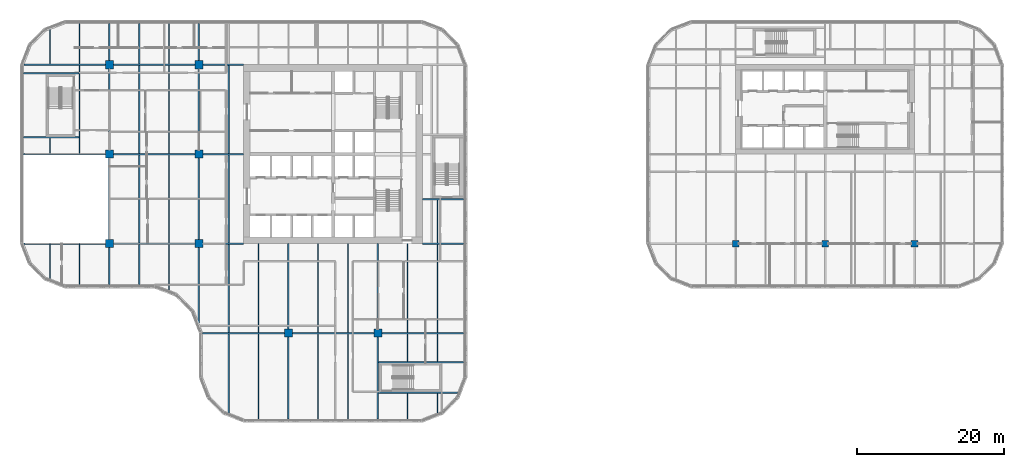
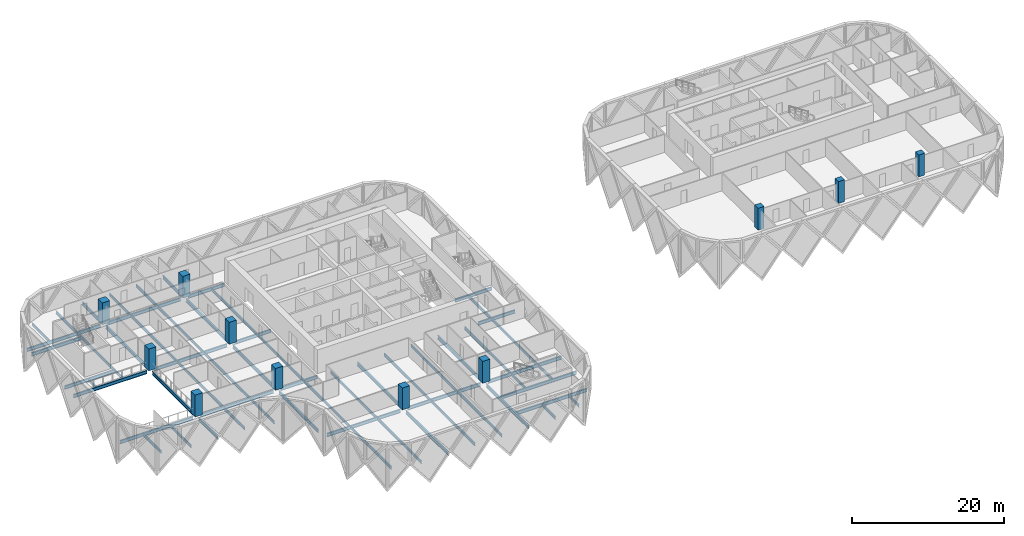
# One storey, part 1 of 24: 61 beams, 11 columns.
"""IFC4 building model written with IfcOpenShell, lengths in metres."""

from ifc_helpers import new_model, si_unit, direction, frame, origin, origin_2d, place, context, subcontext, project, spatial, rectangle, i_section, extrude, material, material_profile, profile_set, type_object, element, save


model = new_model("IFC4")

# Units and contexts
model_context = context("Model", 3, precision=1e-05, world=origin(), true_north=direction((0.0, 1.0)))
body_context = subcontext(model_context, "Body", "Model", "MODEL_VIEW")
ifc_project = project(units=[si_unit("LENGTHUNIT", "METRE"), si_unit("AREAUNIT", "SQUARE_METRE"), si_unit("VOLUMEUNIT", "CUBIC_METRE"), si_unit("PLANEANGLEUNIT", "RADIAN"), si_unit("MASSUNIT", "GRAM", prefix="KILO")], contexts=[model_context])

# Site, building, storey
site_placement = place(None, origin())
site = spatial("IfcSite", under=ifc_project, at=site_placement, CompositionType="ELEMENT")
building_placement = place(site_placement, origin())
building = spatial("IfcBuilding", under=site, at=building_placement, Name="Tessera Gate Towers", CompositionType="ELEMENT")
storey_placement = place(building_placement, frame((0.0, 0.0, 60.0)))
storey = spatial("IfcBuildingStorey", under=building, at=storey_placement, Name="L14", CompositionType="ELEMENT", Elevation=60.0)

# Columns
ifc_material_1 = material(Name="Concrete C70/85", Category="concrete")
ifc_material_profile_1 = material_profile(ifc_material_1, rectangle(XDim=1.10009765625, YDim=1.10009765625, at=origin_2d()), Name="RC 1100x1100")
ifc_profile_set_1 = profile_set([ifc_material_profile_1], Name="Concrete C70/85")
column_type_1 = type_object("IfcColumnType", Name="COLUMN RC 1100x1100", PredefinedType="COLUMN", material=ifc_profile_set_1)
for number, where, z_axis, x_axis, name in (
    (1, (12.199951171875, 24.39990234375, 0.0), (0.0, 0.0, 1.0), (1.0, 0.0, 0.0), "T1-COL-2C-L14"),
    (2, (12.199951171875, 36.60009765625, 0.0), (0.0, 0.0, 1.0), (1.0, 0.0, 0.0), "T1-COL-2D-L14"),
    (3, (12.199951171875, 48.800048828125, 0.0), (0.0, 0.0, 1.0), (1.0, 0.0, 0.0), "T1-COL-2E-L14"),
    (4, (24.39990234375, 24.39990234375, 0.0), (0.0, 0.0, 1.0), (1.0, 0.0, 0.0), "T1-COL-3C-L14"),
    (5, (24.39990234375, 36.60009765625, 0.0), (0.0, 0.0, 1.0), (1.0, 0.0, 0.0), "T1-COL-3D-L14"),
    (6, (24.39990234375, 48.800048828125, 0.0), (0.0, 0.0, 1.0), (1.0, 0.0, 0.0), "T1-COL-3E-L14"),
    (7, (36.60009765625, 12.199951171875, 0.0), (0.0, 0.0, 1.0), (1.0, 0.0, 0.0), "T1-COL-4B-L14"),
    (8, (48.800048828125, 12.199951171875, 0.0), (0.0, 0.0, 1.0), (1.0, 0.0, 0.0), "T1-COL-5B-L14"),
):
    element("IfcColumn", number, at=place(storey_placement, frame(where, z_axis=z_axis, x_axis=x_axis)), inside=storey, type_object=column_type_1, Name=name, PredefinedType="COLUMN", context=body_context, shape_type="SweptSolid", body=[
        extrude(rectangle(XDim=1.10009765625, YDim=1.10009765625, at=origin_2d()), origin(), (0.0, 0.0, 1.0), 3.5),
    ])
ifc_material_2 = material(Name="Concrete C70/85", Category="concrete")
ifc_material_profile_2 = material_profile(ifc_material_2, rectangle(XDim=0.89990234375, YDim=0.89990234375, at=origin_2d()), Name="RC 900x900")
ifc_profile_set_2 = profile_set([ifc_material_profile_2], Name="Concrete C70/85")
column_type_2 = type_object("IfcColumnType", Name="COLUMN RC 900x900", PredefinedType="COLUMN", material=ifc_profile_set_2)
for number, where, z_axis, x_axis, name in (
    (9, (97.60009765625, 24.39990234375, 0.0), (0.0, 0.0, 1.0), (1.0, 0.0, 0.0), "T2-COL-9C-L14"),
    (10, (109.800048828125, 24.39990234375, 0.0), (0.0, 0.0, 1.0), (1.0, 0.0, 0.0), "T2-COL-10C-L14"),
    (11, (122.0, 24.39990234375, 0.0), (0.0, 0.0, 1.0), (1.0, 0.0, 0.0), "T2-COL-11C-L14"),
):
    element("IfcColumn", number, at=place(storey_placement, frame(where, z_axis=z_axis, x_axis=x_axis)), inside=storey, type_object=column_type_2, Name=name, PredefinedType="COLUMN", context=body_context, shape_type="SweptSolid", body=[
        extrude(rectangle(XDim=0.89990234375, YDim=0.89990234375, at=origin_2d()), origin(), (0.0, 0.0, 1.0), 3.5),
    ])

# Beams
ifc_material_3 = material(Name="Steel 350W", Category="steel")
ifc_material_profile_3 = material_profile(ifc_material_3, i_section(OverallWidth=0.208984375, OverallDepth=0.532958984375, WebThickness=0.01025390625, FlangeThickness=0.015625, at=origin_2d()), Name="W530x92")
ifc_profile_set_3 = profile_set([ifc_material_profile_3], Name="Steel 350W")
beam_type_1 = type_object("IfcBeamType", Name="FLOOR GIRDER W530x92", PredefinedType="BEAM", material=ifc_profile_set_3)
beam_1_placement = place(storey_placement, frame((24.89892578125, 12.199951171875, -0.466552734375), z_axis=(1.0, 0.0, 0.0), x_axis=(0.0, 1.0, 0.0)))
element("IfcBeam", 12, at=beam_1_placement, inside=storey, type_object=beam_type_1, Name="T1-GD-L14-1990", PredefinedType="BEAM", context=body_context, shape_type="SweptSolid", body=[
    extrude(i_section(OverallWidth=0.208984375, OverallDepth=0.532958984375, WebThickness=0.01025390625, FlangeThickness=0.015625, at=origin_2d()), origin(), (0.0, 0.0, 1.0), 11.151123046875),
])
beam_2_placement = place(storey_placement, frame((37.14990234375, 12.199951171875, -0.466552734375), z_axis=(1.0, 0.0, 0.0), x_axis=(0.0, 1.0, 0.0)))
element("IfcBeam", 13, at=beam_2_placement, inside=storey, type_object=beam_type_1, Name="T1-GD-L14-1991", PredefinedType="BEAM", context=body_context, shape_type="SweptSolid", body=[
    extrude(i_section(OverallWidth=0.208984375, OverallDepth=0.532958984375, WebThickness=0.01025390625, FlangeThickness=0.015625, at=origin_2d()), origin(), (0.0, 0.0, 1.0), 11.10009765625),
])
beam_3_placement = place(storey_placement, frame((49.35009765625, 12.199951171875, -0.466552734375), z_axis=(1.0, 0.0, 0.0), x_axis=(0.0, 1.0, 0.0)))
element("IfcBeam", 14, at=beam_3_placement, inside=storey, type_object=beam_type_1, Name="T1-GD-L14-1992", PredefinedType="BEAM", context=body_context, shape_type="SweptSolid", body=[
    extrude(i_section(OverallWidth=0.208984375, OverallDepth=0.532958984375, WebThickness=0.01025390625, FlangeThickness=0.015625, at=origin_2d()), origin(), (0.0, 0.0, 1.0), 11.15087890625),
])
beam_4_placement = place(storey_placement, frame((0.534912109375, 24.39990234375, -0.466552734375), z_axis=(1.0, 0.0, 0.0), x_axis=(0.0, 1.0, 0.0)))
element("IfcBeam", 15, at=beam_4_placement, inside=storey, type_object=beam_type_1, Name="T1-GD-L14-1993", PredefinedType="BEAM", context=body_context, shape_type="SweptSolid", body=[
    extrude(i_section(OverallWidth=0.208984375, OverallDepth=0.532958984375, WebThickness=0.01025390625, FlangeThickness=0.015625, at=origin_2d()), origin(), (0.0, 0.0, 1.0), 11.114990234375),
])
beam_5_placement = place(storey_placement, frame((12.75, 24.39990234375, -0.466552734375), z_axis=(1.0, 0.0, 0.0), x_axis=(0.0, 1.0, 0.0)))
element("IfcBeam", 16, at=beam_5_placement, inside=storey, type_object=beam_type_1, Name="T1-GD-L14-1994", PredefinedType="BEAM", context=body_context, shape_type="SweptSolid", body=[
    extrude(i_section(OverallWidth=0.208984375, OverallDepth=0.532958984375, WebThickness=0.01025390625, FlangeThickness=0.015625, at=origin_2d()), origin(), (0.0, 0.0, 1.0), 11.10009765625),
])
beam_6_placement = place(storey_placement, frame((24.949951171875, 24.39990234375, -0.466552734375), z_axis=(1.0, 0.0, 0.0), x_axis=(0.0, 1.0, 0.0)))
element("IfcBeam", 17, at=beam_6_placement, inside=storey, type_object=beam_type_1, Name="T1-GD-L14-1995", PredefinedType="BEAM", context=body_context, shape_type="SweptSolid", body=[
    extrude(i_section(OverallWidth=0.208984375, OverallDepth=0.532958984375, WebThickness=0.01025390625, FlangeThickness=0.015625, at=origin_2d()), origin(), (0.0, 0.0, 1.0), 5.549072265625),
])
beam_7_placement = place(storey_placement, frame((54.90087890625, 24.39990234375, -0.466552734375), z_axis=(1.0, 0.0, 0.0), x_axis=(0.0, 1.0, 0.0)))
element("IfcBeam", 18, at=beam_7_placement, inside=storey, type_object=beam_type_1, Name="T1-GD-L14-1996", PredefinedType="BEAM", context=body_context, shape_type="SweptSolid", body=[
    extrude(i_section(OverallWidth=0.208984375, OverallDepth=0.532958984375, WebThickness=0.01025390625, FlangeThickness=0.015625, at=origin_2d()), origin(), (0.0, 0.0, 1.0), 5.60009765625),
])
beam_8_placement = place(storey_placement, frame((0.4990234375, 36.60009765625, -0.466552734375), z_axis=(1.0, 0.0, 0.0), x_axis=(0.0, 1.0, 0.0)))
element("IfcBeam", 19, at=beam_8_placement, inside=storey, type_object=beam_type_1, Name="T1-GD-L14-1997", PredefinedType="BEAM", context=body_context, shape_type="SweptSolid", body=[
    extrude(i_section(OverallWidth=0.208984375, OverallDepth=0.532958984375, WebThickness=0.01025390625, FlangeThickness=0.015625, at=origin_2d()), origin(), (0.0, 0.0, 1.0), 11.15087890625),
])
beam_9_placement = place(storey_placement, frame((12.75, 36.60009765625, -0.466552734375), z_axis=(1.0, 0.0, 0.0), x_axis=(0.0, 1.0, 0.0)))
element("IfcBeam", 20, at=beam_9_placement, inside=storey, type_object=beam_type_1, Name="T1-GD-L14-1998", PredefinedType="BEAM", context=body_context, shape_type="SweptSolid", body=[
    extrude(i_section(OverallWidth=0.208984375, OverallDepth=0.532958984375, WebThickness=0.01025390625, FlangeThickness=0.015625, at=origin_2d()), origin(), (0.0, 0.0, 1.0), 11.10009765625),
])
beam_10_placement = place(storey_placement, frame((24.949951171875, 36.60009765625, -0.466552734375), z_axis=(1.0, 0.0, 0.0), x_axis=(0.0, 1.0, 0.0)))
element("IfcBeam", 21, at=beam_10_placement, inside=storey, type_object=beam_type_1, Name="T1-GD-L14-1999", PredefinedType="BEAM", context=body_context, shape_type="SweptSolid", body=[
    extrude(i_section(OverallWidth=0.208984375, OverallDepth=0.532958984375, WebThickness=0.01025390625, FlangeThickness=0.015625, at=origin_2d()), origin(), (0.0, 0.0, 1.0), 5.551025390625),
])
beam_11_placement = place(storey_placement, frame((0.534912109375, 48.800048828125, -0.466552734375), z_axis=(1.0, 0.0, 0.0), x_axis=(0.0, 1.0, 0.0)))
element("IfcBeam", 22, at=beam_11_placement, inside=storey, type_object=beam_type_1, Name="T1-GD-L14-2001", PredefinedType="BEAM", context=body_context, shape_type="SweptSolid", body=[
    extrude(i_section(OverallWidth=0.208984375, OverallDepth=0.532958984375, WebThickness=0.01025390625, FlangeThickness=0.015625, at=origin_2d()), origin(), (0.0, 0.0, 1.0), 11.114990234375),
])
beam_12_placement = place(storey_placement, frame((12.75, 48.800048828125, -0.466552734375), z_axis=(1.0, 0.0, 0.0), x_axis=(0.0, 1.0, 0.0)))
element("IfcBeam", 23, at=beam_12_placement, inside=storey, type_object=beam_type_1, Name="T1-GD-L14-2002", PredefinedType="BEAM", context=body_context, shape_type="SweptSolid", body=[
    extrude(i_section(OverallWidth=0.208984375, OverallDepth=0.532958984375, WebThickness=0.01025390625, FlangeThickness=0.015625, at=origin_2d()), origin(), (0.0, 0.0, 1.0), 11.10009765625),
])
beam_13_placement = place(storey_placement, frame((24.949951171875, 48.800048828125, -0.466552734375), z_axis=(1.0, 0.0, 0.0), x_axis=(0.0, 1.0, 0.0)))
element("IfcBeam", 24, at=beam_13_placement, inside=storey, type_object=beam_type_1, Name="T1-GD-L14-2003", PredefinedType="BEAM", context=body_context, shape_type="SweptSolid", body=[
    extrude(i_section(OverallWidth=0.208984375, OverallDepth=0.532958984375, WebThickness=0.01025390625, FlangeThickness=0.015625, at=origin_2d()), origin(), (0.0, 0.0, 1.0), 5.549072265625),
])
beam_14_placement = place(storey_placement, frame((12.199951171875, 18.799072265625, -0.466552734375), z_axis=(0.0, 1.0, 0.0), x_axis=(-1.0, 0.0, 0.0)))
element("IfcBeam", 25, at=beam_14_placement, inside=storey, type_object=beam_type_1, Name="T1-GD-L14-2005", PredefinedType="BEAM", context=body_context, shape_type="SweptSolid", body=[
    extrude(i_section(OverallWidth=0.208984375, OverallDepth=0.532958984375, WebThickness=0.01025390625, FlangeThickness=0.015625, at=origin_2d()), origin(), (0.0, 0.0, 1.0), 5.051025390625),
])
for number, where, z_axis, x_axis, name in (
    (26, (12.199951171875, 24.949951171875, -0.466552734375), (0.0, 1.0, 0.0), (-1.0, 0.0, 0.0), "T1-GD-L14-2006"),
    (27, (12.199951171875, 37.14990234375, -0.466552734375), (0.0, 1.0, 0.0), (-1.0, 0.0, 0.0), "T1-GD-L14-2007"),
):
    element("IfcBeam", number, at=place(storey_placement, frame(where, z_axis=z_axis, x_axis=x_axis)), inside=storey, type_object=beam_type_1, Name=name, PredefinedType="BEAM", context=body_context, shape_type="SweptSolid", body=[
        extrude(i_section(OverallWidth=0.208984375, OverallDepth=0.532958984375, WebThickness=0.01025390625, FlangeThickness=0.015625, at=origin_2d()), origin(), (0.0, 0.0, 1.0), 11.10009765625),
    ])
beam_15_placement = place(storey_placement, frame((12.199951171875, 49.35009765625, -0.466552734375), z_axis=(0.0, 1.0, 0.0), x_axis=(-1.0, 0.0, 0.0)))
element("IfcBeam", 28, at=beam_15_placement, inside=storey, type_object=beam_type_1, Name="T1-GD-L14-2008", PredefinedType="BEAM", context=body_context, shape_type="SweptSolid", body=[
    extrude(i_section(OverallWidth=0.208984375, OverallDepth=0.532958984375, WebThickness=0.01025390625, FlangeThickness=0.015625, at=origin_2d()), origin(), (0.0, 0.0, 1.0), 5.05078125),
])
beam_16_placement = place(storey_placement, frame((24.39990234375, 13.58642578125, -0.466552734375), z_axis=(0.0, 1.0, 0.0), x_axis=(-1.0, 0.0, 0.0)))
element("IfcBeam", 29, at=beam_16_placement, inside=storey, type_object=beam_type_1, Name="T1-GD-L14-2009", PredefinedType="BEAM", context=body_context, shape_type="SweptSolid", body=[
    extrude(i_section(OverallWidth=0.208984375, OverallDepth=0.532958984375, WebThickness=0.01025390625, FlangeThickness=0.015625, at=origin_2d()), origin(), (0.0, 0.0, 1.0), 10.263671875),
])
for number, where, z_axis, x_axis, name in (
    (30, (24.39990234375, 24.949951171875, -0.466552734375), (0.0, 1.0, 0.0), (-1.0, 0.0, 0.0), "T1-GD-L14-2010"),
    (31, (24.39990234375, 37.14990234375, -0.466552734375), (0.0, 1.0, 0.0), (-1.0, 0.0, 0.0), "T1-GD-L14-2011"),
):
    element("IfcBeam", number, at=place(storey_placement, frame(where, z_axis=z_axis, x_axis=x_axis)), inside=storey, type_object=beam_type_1, Name=name, PredefinedType="BEAM", context=body_context, shape_type="SweptSolid", body=[
        extrude(i_section(OverallWidth=0.208984375, OverallDepth=0.532958984375, WebThickness=0.01025390625, FlangeThickness=0.015625, at=origin_2d()), origin(), (0.0, 0.0, 1.0), 11.10009765625),
    ])
beam_17_placement = place(storey_placement, frame((24.39990234375, 49.35009765625, -0.466552734375), z_axis=(0.0, 1.0, 0.0), x_axis=(-1.0, 0.0, 0.0)))
element("IfcBeam", 32, at=beam_17_placement, inside=storey, type_object=beam_type_1, Name="T1-GD-L14-2012", PredefinedType="BEAM", context=body_context, shape_type="SweptSolid", body=[
    extrude(i_section(OverallWidth=0.208984375, OverallDepth=0.532958984375, WebThickness=0.01025390625, FlangeThickness=0.015625, at=origin_2d()), origin(), (0.0, 0.0, 1.0), 5.05078125),
])
beam_18_placement = place(storey_placement, frame((36.60009765625, 0.4990234375, -0.466552734375), z_axis=(0.0, 1.0, 0.0), x_axis=(-1.0, 0.0, 0.0)))
element("IfcBeam", 33, at=beam_18_placement, inside=storey, type_object=beam_type_1, Name="T1-GD-L14-2013", PredefinedType="BEAM", context=body_context, shape_type="SweptSolid", body=[
    extrude(i_section(OverallWidth=0.208984375, OverallDepth=0.532958984375, WebThickness=0.01025390625, FlangeThickness=0.015625, at=origin_2d()), origin(), (0.0, 0.0, 1.0), 11.15087890625),
])
beam_19_placement = place(storey_placement, frame((36.60009765625, 12.75, -0.466552734375), z_axis=(0.0, 1.0, 0.0), x_axis=(-1.0, 0.0, 0.0)))
element("IfcBeam", 34, at=beam_19_placement, inside=storey, type_object=beam_type_1, Name="T1-GD-L14-2014", PredefinedType="BEAM", context=body_context, shape_type="SweptSolid", body=[
    extrude(i_section(OverallWidth=0.208984375, OverallDepth=0.532958984375, WebThickness=0.01025390625, FlangeThickness=0.015625, at=origin_2d()), origin(), (0.0, 0.0, 1.0), 11.64990234375),
])
beam_20_placement = place(storey_placement, frame((48.800048828125, 0.4990234375, -0.466552734375), z_axis=(0.0, 1.0, 0.0), x_axis=(-1.0, 0.0, 0.0)))
element("IfcBeam", 35, at=beam_20_placement, inside=storey, type_object=beam_type_1, Name="T1-GD-L14-2015", PredefinedType="BEAM", context=body_context, shape_type="SweptSolid", body=[
    extrude(i_section(OverallWidth=0.208984375, OverallDepth=0.532958984375, WebThickness=0.01025390625, FlangeThickness=0.015625, at=origin_2d()), origin(), (0.0, 0.0, 1.0), 11.15087890625),
])
beam_21_placement = place(storey_placement, frame((48.800048828125, 12.75, -0.466552734375), z_axis=(0.0, 1.0, 0.0), x_axis=(-1.0, 0.0, 0.0)))
element("IfcBeam", 36, at=beam_21_placement, inside=storey, type_object=beam_type_1, Name="T1-GD-L14-2016", PredefinedType="BEAM", context=body_context, shape_type="SweptSolid", body=[
    extrude(i_section(OverallWidth=0.208984375, OverallDepth=0.532958984375, WebThickness=0.01025390625, FlangeThickness=0.015625, at=origin_2d()), origin(), (0.0, 0.0, 1.0), 11.64990234375),
])
for number, where, z_axis, x_axis, name in (
    (37, (0.4990234375, 38.8798828125, -0.466552734375), (1.0, 0.0, 0.0), (0.0, 1.0, 0.0), "T1-GD-L14-2017"),
    (38, (0.4990234375, 47.6201171875, -0.466552734375), (1.0, 0.0, 0.0), (0.0, 1.0, 0.0), "T1-GD-L14-2018"),
):
    element("IfcBeam", number, at=place(storey_placement, frame(where, z_axis=z_axis, x_axis=x_axis)), inside=storey, type_object=beam_type_1, Name=name, PredefinedType="BEAM", context=body_context, shape_type="SweptSolid", body=[
        extrude(i_section(OverallWidth=0.208984375, OverallDepth=0.532958984375, WebThickness=0.01025390625, FlangeThickness=0.015625, at=origin_2d()), origin(), (0.0, 0.0, 1.0), 7.557861328125),
    ])
beam_22_placement = place(storey_placement, frame((48.87646484375, 4.080078125, -0.466552734375), z_axis=(1.0, 0.0, 0.0), x_axis=(0.0, 1.0, 0.0)))
element("IfcBeam", 39, at=beam_22_placement, inside=storey, type_object=beam_type_1, Name="T1-GD-L14-2019", PredefinedType="BEAM", context=body_context, shape_type="SweptSolid", body=[
    extrude(i_section(OverallWidth=0.208984375, OverallDepth=0.532958984375, WebThickness=0.01025390625, FlangeThickness=0.015625, at=origin_2d()), origin(), (0.0, 0.0, 1.0), 10.809326171875),
])
beam_23_placement = place(storey_placement, frame((48.87646484375, 8.219970703125, -0.466552734375), z_axis=(1.0, 0.0, 0.0), x_axis=(0.0, 1.0, 0.0)))
element("IfcBeam", 40, at=beam_23_placement, inside=storey, type_object=beam_type_1, Name="T1-GD-L14-2020", PredefinedType="BEAM", context=body_context, shape_type="SweptSolid", body=[
    extrude(i_section(OverallWidth=0.208984375, OverallDepth=0.532958984375, WebThickness=0.01025390625, FlangeThickness=0.015625, at=origin_2d()), origin(), (0.0, 0.0, 1.0), 11.62451171875),
])
beam_24_placement = place(storey_placement, frame((54.89892578125, 30.47998046875, -0.466552734375), z_axis=(1.0, 0.0, 0.0), x_axis=(0.0, 1.0, 0.0)))
element("IfcBeam", 41, at=beam_24_placement, inside=storey, type_object=beam_type_1, Name="T1-GD-L14-2021", PredefinedType="BEAM", context=body_context, shape_type="SweptSolid", body=[
    extrude(i_section(OverallWidth=0.208984375, OverallDepth=0.532958984375, WebThickness=0.01025390625, FlangeThickness=0.015625, at=origin_2d()), origin(), (0.0, 0.0, 1.0), 5.60205078125),
])
ifc_material_4 = material(Name="Steel 350W", Category="steel")
ifc_material_profile_4 = material_profile(ifc_material_4, i_section(OverallWidth=0.153076171875, OverallDepth=0.455078125, WebThickness=0.008056640625, FlangeThickness=0.01318359375, at=origin_2d()), Name="W460x60")
ifc_profile_set_4 = profile_set([ifc_material_profile_4], Name="Steel 350W")
beam_type_2 = type_object("IfcBeamType", Name="FLOOR SECONDARY W460x60", PredefinedType="BEAM", material=ifc_profile_set_4)
beam_25_placement = place(storey_placement, frame((4.066650390625, 19.620361328125, -0.427490234375), z_axis=(0.0, 1.0, 0.0), x_axis=(-1.0, 0.0, 0.0)))
element("IfcBeam", 42, at=beam_25_placement, inside=storey, type_object=beam_type_2, Name="T1-BM-L14-2024", PredefinedType="BEAM", context=body_context, shape_type="SweptSolid", body=[
    extrude(i_section(OverallWidth=0.153076171875, OverallDepth=0.455078125, WebThickness=0.008056640625, FlangeThickness=0.01318359375, at=origin_2d()), origin(), (0.0, 0.0, 1.0), 4.779541015625),
])
beam_26_placement = place(storey_placement, frame((4.066650390625, 36.70458984375, -0.427490234375), z_axis=(0.0, 1.0, 0.0), x_axis=(-1.0, 0.0, 0.0)))
element("IfcBeam", 43, at=beam_26_placement, inside=storey, type_object=beam_type_2, Name="T1-BM-L14-2025", PredefinedType="BEAM", context=body_context, shape_type="SweptSolid", body=[
    extrude(i_section(OverallWidth=0.153076171875, OverallDepth=0.455078125, WebThickness=0.008056640625, FlangeThickness=0.01318359375, at=origin_2d()), origin(), (0.0, 0.0, 1.0), 2.07080078125),
])
beam_27_placement = place(storey_placement, frame((4.066650390625, 48.904541015625, -0.427490234375), z_axis=(0.0, 1.0, 0.0), x_axis=(-1.0, 0.0, 0.0)))
element("IfcBeam", 44, at=beam_27_placement, inside=storey, type_object=beam_type_2, Name="T1-BM-L14-2026", PredefinedType="BEAM", context=body_context, shape_type="SweptSolid", body=[
    extrude(i_section(OverallWidth=0.153076171875, OverallDepth=0.455078125, WebThickness=0.008056640625, FlangeThickness=0.01318359375, at=origin_2d()), origin(), (0.0, 0.0, 1.0), 4.675048828125),
])
beam_28_placement = place(storey_placement, frame((8.13330078125, 18.800048828125, -0.427490234375), z_axis=(0.0, 1.0, 0.0), x_axis=(-1.0, 0.0, 0.0)))
element("IfcBeam", 45, at=beam_28_placement, inside=storey, type_object=beam_type_2, Name="T1-BM-L14-2027", PredefinedType="BEAM", context=body_context, shape_type="SweptSolid", body=[
    extrude(i_section(OverallWidth=0.153076171875, OverallDepth=0.455078125, WebThickness=0.008056640625, FlangeThickness=0.01318359375, at=origin_2d()), origin(), (0.0, 0.0, 1.0), 5.599853515625),
])
beam_29_placement = place(storey_placement, frame((8.13330078125, 36.70458984375, -0.427490234375), z_axis=(0.0, 1.0, 0.0), x_axis=(-1.0, 0.0, 0.0)))
element("IfcBeam", 46, at=beam_29_placement, inside=storey, type_object=beam_type_2, Name="T1-BM-L14-2028", PredefinedType="BEAM", context=body_context, shape_type="SweptSolid", body=[
    extrude(i_section(OverallWidth=0.153076171875, OverallDepth=0.455078125, WebThickness=0.008056640625, FlangeThickness=0.01318359375, at=origin_2d()), origin(), (0.0, 0.0, 1.0), 11.990966796875),
])
for number, where, z_axis, x_axis, name in (
    (47, (8.13330078125, 48.904541015625, -0.427490234375), (0.0, 1.0, 0.0), (-1.0, 0.0, 0.0), "T1-BM-L14-2029"),
    (48, (16.2666015625, 18.800048828125, -0.427490234375), (0.0, 1.0, 0.0), (-1.0, 0.0, 0.0), "T1-BM-L14-2030"),
):
    element("IfcBeam", number, at=place(storey_placement, frame(where, z_axis=z_axis, x_axis=x_axis)), inside=storey, type_object=beam_type_2, Name=name, PredefinedType="BEAM", context=body_context, shape_type="SweptSolid", body=[
        extrude(i_section(OverallWidth=0.153076171875, OverallDepth=0.455078125, WebThickness=0.008056640625, FlangeThickness=0.01318359375, at=origin_2d()), origin(), (0.0, 0.0, 1.0), 5.495361328125),
    ])
beam_30_placement = place(storey_placement, frame((16.2666015625, 24.50439453125, -0.427490234375), z_axis=(0.0, 1.0, 0.0), x_axis=(-1.0, 0.0, 0.0)))
element("IfcBeam", 49, at=beam_30_placement, inside=storey, type_object=beam_type_2, Name="T1-BM-L14-2031", PredefinedType="BEAM", context=body_context, shape_type="SweptSolid", body=[
    extrude(i_section(OverallWidth=0.153076171875, OverallDepth=0.455078125, WebThickness=0.008056640625, FlangeThickness=0.01318359375, at=origin_2d()), origin(), (0.0, 0.0, 1.0), 11.9912109375),
])
beam_31_placement = place(storey_placement, frame((16.2666015625, 36.70458984375, -0.427490234375), z_axis=(0.0, 1.0, 0.0), x_axis=(-1.0, 0.0, 0.0)))
element("IfcBeam", 50, at=beam_31_placement, inside=storey, type_object=beam_type_2, Name="T1-BM-L14-2032", PredefinedType="BEAM", context=body_context, shape_type="SweptSolid", body=[
    extrude(i_section(OverallWidth=0.153076171875, OverallDepth=0.455078125, WebThickness=0.008056640625, FlangeThickness=0.01318359375, at=origin_2d()), origin(), (0.0, 0.0, 1.0), 11.990966796875),
])
beam_32_placement = place(storey_placement, frame((16.2666015625, 48.904541015625, -0.427490234375), z_axis=(0.0, 1.0, 0.0), x_axis=(-1.0, 0.0, 0.0)))
element("IfcBeam", 51, at=beam_32_placement, inside=storey, type_object=beam_type_2, Name="T1-BM-L14-2033", PredefinedType="BEAM", context=body_context, shape_type="SweptSolid", body=[
    extrude(i_section(OverallWidth=0.153076171875, OverallDepth=0.455078125, WebThickness=0.008056640625, FlangeThickness=0.01318359375, at=origin_2d()), origin(), (0.0, 0.0, 1.0), 5.495361328125),
])
beam_33_placement = place(storey_placement, frame((20.333251953125, 18.051513671875, -0.427490234375), z_axis=(0.0, 1.0, 0.0), x_axis=(-1.0, 0.0, 0.0)))
element("IfcBeam", 52, at=beam_33_placement, inside=storey, type_object=beam_type_2, Name="T1-BM-L14-2034", PredefinedType="BEAM", context=body_context, shape_type="SweptSolid", body=[
    extrude(i_section(OverallWidth=0.153076171875, OverallDepth=0.455078125, WebThickness=0.008056640625, FlangeThickness=0.01318359375, at=origin_2d()), origin(), (0.0, 0.0, 1.0), 6.243896484375),
])
beam_34_placement = place(storey_placement, frame((20.333251953125, 24.50439453125, -0.427490234375), z_axis=(0.0, 1.0, 0.0), x_axis=(-1.0, 0.0, 0.0)))
element("IfcBeam", 53, at=beam_34_placement, inside=storey, type_object=beam_type_2, Name="T1-BM-L14-2035", PredefinedType="BEAM", context=body_context, shape_type="SweptSolid", body=[
    extrude(i_section(OverallWidth=0.153076171875, OverallDepth=0.455078125, WebThickness=0.008056640625, FlangeThickness=0.01318359375, at=origin_2d()), origin(), (0.0, 0.0, 1.0), 11.9912109375),
])
beam_35_placement = place(storey_placement, frame((20.333251953125, 36.70458984375, -0.427490234375), z_axis=(0.0, 1.0, 0.0), x_axis=(-1.0, 0.0, 0.0)))
element("IfcBeam", 54, at=beam_35_placement, inside=storey, type_object=beam_type_2, Name="T1-BM-L14-2036", PredefinedType="BEAM", context=body_context, shape_type="SweptSolid", body=[
    extrude(i_section(OverallWidth=0.153076171875, OverallDepth=0.455078125, WebThickness=0.008056640625, FlangeThickness=0.01318359375, at=origin_2d()), origin(), (0.0, 0.0, 1.0), 11.990966796875),
])
beam_36_placement = place(storey_placement, frame((20.333251953125, 48.904541015625, -0.427490234375), z_axis=(0.0, 1.0, 0.0), x_axis=(-1.0, 0.0, 0.0)))
element("IfcBeam", 55, at=beam_36_placement, inside=storey, type_object=beam_type_2, Name="T1-BM-L14-2037", PredefinedType="BEAM", context=body_context, shape_type="SweptSolid", body=[
    extrude(i_section(OverallWidth=0.153076171875, OverallDepth=0.455078125, WebThickness=0.008056640625, FlangeThickness=0.01318359375, at=origin_2d()), origin(), (0.0, 0.0, 1.0), 5.495361328125),
])
beam_37_placement = place(storey_placement, frame((28.466796875, 1.3203125, -0.427490234375), z_axis=(0.0, 1.0, 0.0), x_axis=(-1.0, 0.0, 0.0)))
element("IfcBeam", 56, at=beam_37_placement, inside=storey, type_object=beam_type_2, Name="T1-BM-L14-2038", PredefinedType="BEAM", context=body_context, shape_type="SweptSolid", body=[
    extrude(i_section(OverallWidth=0.153076171875, OverallDepth=0.455078125, WebThickness=0.008056640625, FlangeThickness=0.01318359375, at=origin_2d()), origin(), (0.0, 0.0, 1.0), 10.775146484375),
])
beam_38_placement = place(storey_placement, frame((28.466796875, 12.304443359375, -0.427490234375), z_axis=(0.0, 1.0, 0.0), x_axis=(-1.0, 0.0, 0.0)))
element("IfcBeam", 57, at=beam_38_placement, inside=storey, type_object=beam_type_2, Name="T1-BM-L14-2039", PredefinedType="BEAM", context=body_context, shape_type="SweptSolid", body=[
    extrude(i_section(OverallWidth=0.153076171875, OverallDepth=0.455078125, WebThickness=0.008056640625, FlangeThickness=0.01318359375, at=origin_2d()), origin(), (0.0, 0.0, 1.0), 11.990966796875),
])
beam_39_placement = place(storey_placement, frame((28.466796875, 24.50439453125, -0.427490234375), z_axis=(0.0, 1.0, 0.0), x_axis=(-1.0, 0.0, 0.0)))
element("IfcBeam", 58, at=beam_39_placement, inside=storey, type_object=beam_type_2, Name="T1-BM-L14-2040", PredefinedType="BEAM", context=body_context, shape_type="SweptSolid", body=[
    extrude(i_section(OverallWidth=0.153076171875, OverallDepth=0.455078125, WebThickness=0.008056640625, FlangeThickness=0.01318359375, at=origin_2d()), origin(), (0.0, 0.0, 1.0), 11.9912109375),
])
beam_40_placement = place(storey_placement, frame((28.466796875, 36.70458984375, -0.427490234375), z_axis=(0.0, 1.0, 0.0), x_axis=(-1.0, 0.0, 0.0)))
element("IfcBeam", 59, at=beam_40_placement, inside=storey, type_object=beam_type_2, Name="T1-BM-L14-2041", PredefinedType="BEAM", context=body_context, shape_type="SweptSolid", body=[
    extrude(i_section(OverallWidth=0.153076171875, OverallDepth=0.455078125, WebThickness=0.008056640625, FlangeThickness=0.01318359375, at=origin_2d()), origin(), (0.0, 0.0, 1.0), 11.990966796875),
])
beam_41_placement = place(storey_placement, frame((32.533203125, 0.5, -0.427490234375), z_axis=(0.0, 1.0, 0.0), x_axis=(-1.0, 0.0, 0.0)))
element("IfcBeam", 60, at=beam_41_placement, inside=storey, type_object=beam_type_2, Name="T1-BM-L14-2043", PredefinedType="BEAM", context=body_context, shape_type="SweptSolid", body=[
    extrude(i_section(OverallWidth=0.153076171875, OverallDepth=0.455078125, WebThickness=0.008056640625, FlangeThickness=0.01318359375, at=origin_2d()), origin(), (0.0, 0.0, 1.0), 11.595458984375),
])
beam_42_placement = place(storey_placement, frame((32.533203125, 12.304443359375, -0.427490234375), z_axis=(0.0, 1.0, 0.0), x_axis=(-1.0, 0.0, 0.0)))
element("IfcBeam", 61, at=beam_42_placement, inside=storey, type_object=beam_type_2, Name="T1-BM-L14-2044", PredefinedType="BEAM", context=body_context, shape_type="SweptSolid", body=[
    extrude(i_section(OverallWidth=0.153076171875, OverallDepth=0.455078125, WebThickness=0.008056640625, FlangeThickness=0.01318359375, at=origin_2d()), origin(), (0.0, 0.0, 1.0), 12.095458984375),
])
beam_43_placement = place(storey_placement, frame((40.666748046875, 0.5, -0.427490234375), z_axis=(0.0, 1.0, 0.0), x_axis=(-1.0, 0.0, 0.0)))
element("IfcBeam", 62, at=beam_43_placement, inside=storey, type_object=beam_type_2, Name="T1-BM-L14-2047", PredefinedType="BEAM", context=body_context, shape_type="SweptSolid", body=[
    extrude(i_section(OverallWidth=0.153076171875, OverallDepth=0.455078125, WebThickness=0.008056640625, FlangeThickness=0.01318359375, at=origin_2d()), origin(), (0.0, 0.0, 1.0), 11.595458984375),
])
beam_44_placement = place(storey_placement, frame((40.666748046875, 12.304443359375, -0.427490234375), z_axis=(0.0, 1.0, 0.0), x_axis=(-1.0, 0.0, 0.0)))
element("IfcBeam", 63, at=beam_44_placement, inside=storey, type_object=beam_type_2, Name="T1-BM-L14-2048", PredefinedType="BEAM", context=body_context, shape_type="SweptSolid", body=[
    extrude(i_section(OverallWidth=0.153076171875, OverallDepth=0.455078125, WebThickness=0.008056640625, FlangeThickness=0.01318359375, at=origin_2d()), origin(), (0.0, 0.0, 1.0), 12.095458984375),
])
beam_45_placement = place(storey_placement, frame((44.7333984375, 0.5, -0.427490234375), z_axis=(0.0, 1.0, 0.0), x_axis=(-1.0, 0.0, 0.0)))
element("IfcBeam", 64, at=beam_45_placement, inside=storey, type_object=beam_type_2, Name="T1-BM-L14-2050", PredefinedType="BEAM", context=body_context, shape_type="SweptSolid", body=[
    extrude(i_section(OverallWidth=0.153076171875, OverallDepth=0.455078125, WebThickness=0.008056640625, FlangeThickness=0.01318359375, at=origin_2d()), origin(), (0.0, 0.0, 1.0), 11.595458984375),
])
beam_46_placement = place(storey_placement, frame((44.7333984375, 12.304443359375, -0.427490234375), z_axis=(0.0, 1.0, 0.0), x_axis=(-1.0, 0.0, 0.0)))
element("IfcBeam", 65, at=beam_46_placement, inside=storey, type_object=beam_type_2, Name="T1-BM-L14-2051", PredefinedType="BEAM", context=body_context, shape_type="SweptSolid", body=[
    extrude(i_section(OverallWidth=0.153076171875, OverallDepth=0.455078125, WebThickness=0.008056640625, FlangeThickness=0.01318359375, at=origin_2d()), origin(), (0.0, 0.0, 1.0), 12.095458984375),
])
beam_47_placement = place(storey_placement, frame((52.86669921875, 0.5, -0.427490234375), z_axis=(0.0, 1.0, 0.0), x_axis=(-1.0, 0.0, 0.0)))
element("IfcBeam", 66, at=beam_47_placement, inside=storey, type_object=beam_type_2, Name="T1-BM-L14-2054", PredefinedType="BEAM", context=body_context, shape_type="SweptSolid", body=[
    extrude(i_section(OverallWidth=0.153076171875, OverallDepth=0.455078125, WebThickness=0.008056640625, FlangeThickness=0.01318359375, at=origin_2d()), origin(), (0.0, 0.0, 1.0), 3.4755859375),
])
beam_48_placement = place(storey_placement, frame((52.86669921875, 8.324462890625, -0.427490234375), z_axis=(0.0, 1.0, 0.0), x_axis=(-1.0, 0.0, 0.0)))
element("IfcBeam", 67, at=beam_48_placement, inside=storey, type_object=beam_type_2, Name="T1-BM-L14-2055", PredefinedType="BEAM", context=body_context, shape_type="SweptSolid", body=[
    extrude(i_section(OverallWidth=0.153076171875, OverallDepth=0.455078125, WebThickness=0.008056640625, FlangeThickness=0.01318359375, at=origin_2d()), origin(), (0.0, 0.0, 1.0), 3.77099609375),
])
beam_49_placement = place(storey_placement, frame((52.86669921875, 12.304443359375, -0.427490234375), z_axis=(0.0, 1.0, 0.0), x_axis=(-1.0, 0.0, 0.0)))
element("IfcBeam", 68, at=beam_49_placement, inside=storey, type_object=beam_type_2, Name="T1-BM-L14-2056", PredefinedType="BEAM", context=body_context, shape_type="SweptSolid", body=[
    extrude(i_section(OverallWidth=0.153076171875, OverallDepth=0.455078125, WebThickness=0.008056640625, FlangeThickness=0.01318359375, at=origin_2d()), origin(), (0.0, 0.0, 1.0), 12.095458984375),
])
beam_50_placement = place(storey_placement, frame((56.933349609375, 1.3203125, -0.427490234375), z_axis=(0.0, 1.0, 0.0), x_axis=(-1.0, 0.0, 0.0)))
element("IfcBeam", 69, at=beam_50_placement, inside=storey, type_object=beam_type_2, Name="T1-BM-L14-2058", PredefinedType="BEAM", context=body_context, shape_type="SweptSolid", body=[
    extrude(i_section(OverallWidth=0.153076171875, OverallDepth=0.455078125, WebThickness=0.008056640625, FlangeThickness=0.01318359375, at=origin_2d()), origin(), (0.0, 0.0, 1.0), 2.6552734375),
])
beam_51_placement = place(storey_placement, frame((56.933349609375, 8.324462890625, -0.427490234375), z_axis=(0.0, 1.0, 0.0), x_axis=(-1.0, 0.0, 0.0)))
element("IfcBeam", 70, at=beam_51_placement, inside=storey, type_object=beam_type_2, Name="T1-BM-L14-2059", PredefinedType="BEAM", context=body_context, shape_type="SweptSolid", body=[
    extrude(i_section(OverallWidth=0.153076171875, OverallDepth=0.455078125, WebThickness=0.008056640625, FlangeThickness=0.01318359375, at=origin_2d()), origin(), (0.0, 0.0, 1.0), 3.77099609375),
])
beam_52_placement = place(storey_placement, frame((56.933349609375, 12.304443359375, -0.427490234375), z_axis=(0.0, 1.0, 0.0), x_axis=(-1.0, 0.0, 0.0)))
element("IfcBeam", 71, at=beam_52_placement, inside=storey, type_object=beam_type_2, Name="T1-BM-L14-2060", PredefinedType="BEAM", context=body_context, shape_type="SweptSolid", body=[
    extrude(i_section(OverallWidth=0.153076171875, OverallDepth=0.455078125, WebThickness=0.008056640625, FlangeThickness=0.01318359375, at=origin_2d()), origin(), (0.0, 0.0, 1.0), 11.990966796875),
])
beam_53_placement = place(storey_placement, frame((56.933349609375, 24.50439453125, -0.427490234375), z_axis=(0.0, 1.0, 0.0), x_axis=(-1.0, 0.0, 0.0)))
element("IfcBeam", 72, at=beam_53_placement, inside=storey, type_object=beam_type_2, Name="T1-BM-L14-2061", PredefinedType="BEAM", context=body_context, shape_type="SweptSolid", body=[
    extrude(i_section(OverallWidth=0.153076171875, OverallDepth=0.455078125, WebThickness=0.008056640625, FlangeThickness=0.01318359375, at=origin_2d()), origin(), (0.0, 0.0, 1.0), 5.87109375),
])

save(model, "model.ifc")
